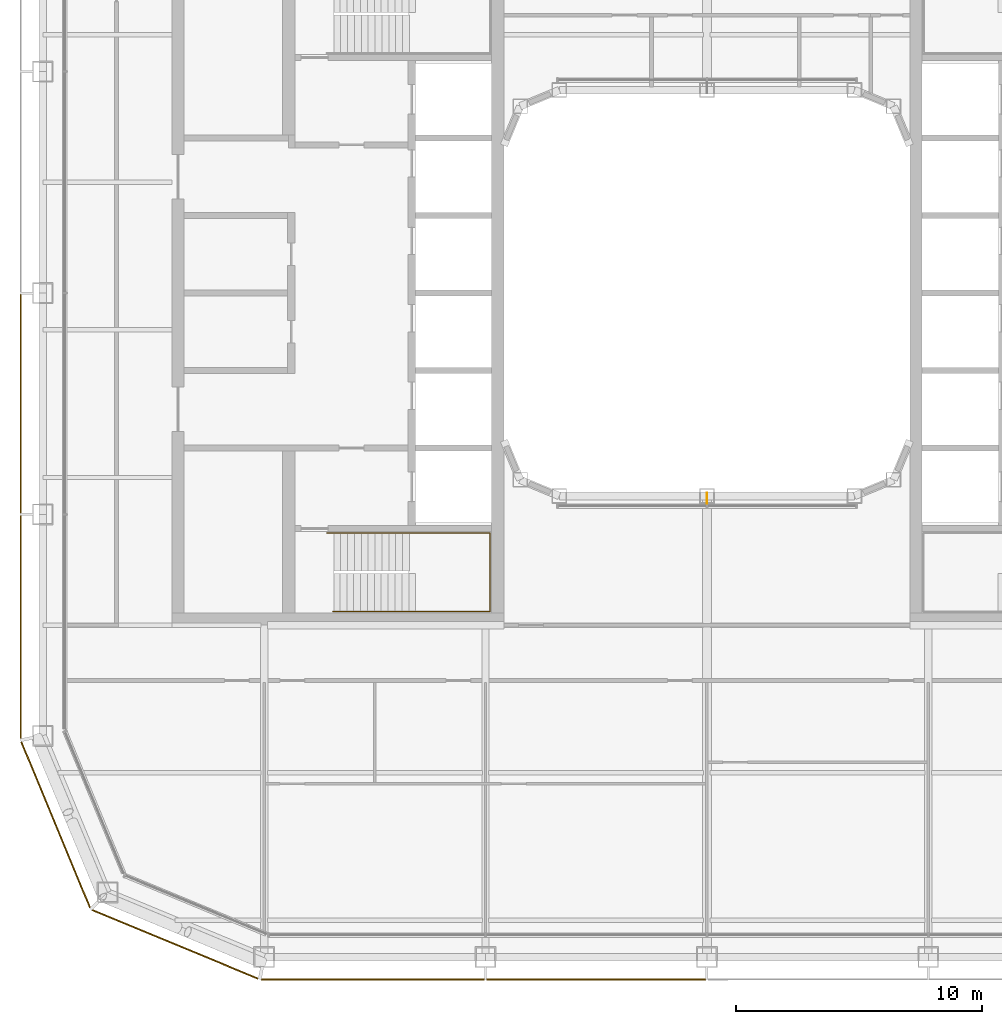
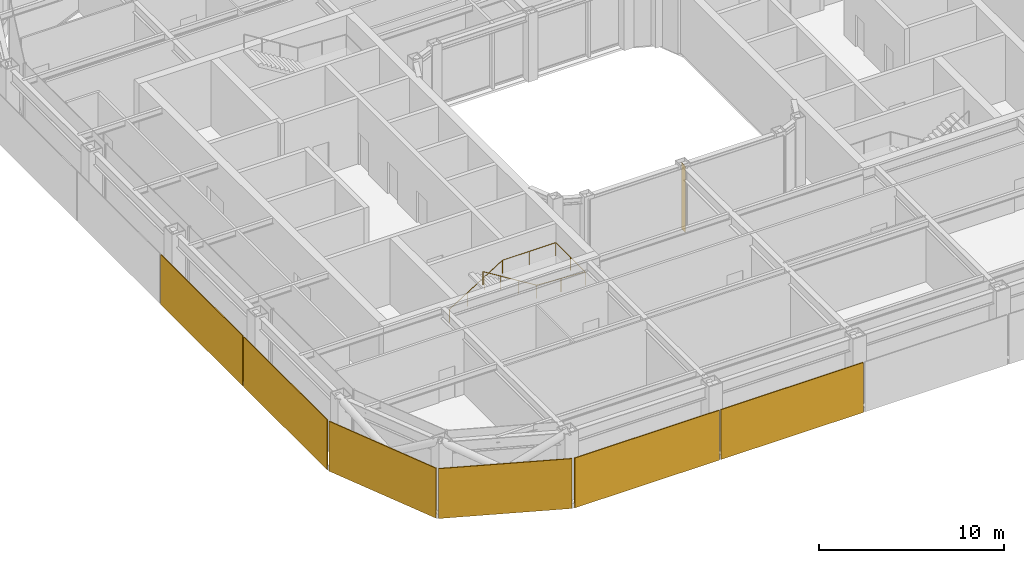
# One storey, part 16 of 19: 6 coverings, 1 railing, 1 shading device.
"""IFC4 building model written with IfcOpenShell, lengths in metres."""

from ifc_helpers import new_model, si_unit, direction, frame, origin, origin_2d, place, context, subcontext, project, spatial, rectangle, circle, extrude, material, layer, layer_set, type_object, element, save


model = new_model("IFC4")

# Units and contexts
model_context = context("Model", 3, precision=1e-05, world=origin(), true_north=direction((0.0, 1.0)))
body_context = subcontext(model_context, "Body", "Model", "MODEL_VIEW")
ifc_project = project(units=[si_unit("LENGTHUNIT", "METRE"), si_unit("AREAUNIT", "SQUARE_METRE"), si_unit("VOLUMEUNIT", "CUBIC_METRE"), si_unit("PLANEANGLEUNIT", "RADIAN"), si_unit("MASSUNIT", "GRAM", prefix="KILO")], contexts=[model_context])

# Site, building, storey
site_placement = place(None, origin())
site = spatial("IfcSite", under=ifc_project, at=site_placement, CompositionType="ELEMENT")
building_placement = place(site_placement, origin())
building = spatial("IfcBuilding", under=site, at=building_placement, Name="Siwar Civic Tower", CompositionType="ELEMENT")
storey_placement = place(building_placement, frame((0.0, 0.0, 228.699951171875)))
storey = spatial("IfcBuildingStorey", under=building, at=storey_placement, Name="L49", CompositionType="ELEMENT", Elevation=228.699951171875)

# Railing
ifc_material_1 = material(Name="Stainless steel", Category="steel")
railing_type = type_object("IfcRailingType", Name="CORE-STAIR-HANDRAIL", PredefinedType="HANDRAIL", material=ifc_material_1)
railing_placement = place(storey_placement, frame((-15.449951171875, -9.758056640625, 0.173095703125)))
element("IfcRailing", 1, at=railing_placement, inside=storey, type_object=railing_type, Name="Stair handrail ST2", PredefinedType="HANDRAIL", context=body_context, shape_type="SweptSolid", body=[
    extrude(circle(Radius=0.02001953125, at=origin_2d()), frame((0.0, 0.0, 0.8798828125), z_axis=(0.847063342986, 0.0, 0.531491950051), x_axis=(0.0, 1.0, 0.0)), (0.0, 0.0, 1.0), 3.90771484375),
    extrude(circle(Radius=0.02001953125, at=origin_2d()), frame((3.31005859375, 0.0, 2.956787109375), z_axis=(1.0, 0.0, 0.0), x_axis=(0.0, 1.0, 0.0)), (0.0, 0.0, 1.0), 3.331787109375),
    extrude(circle(Radius=0.02001953125, at=origin_2d()), frame((6.641845703125, 0.0, 2.956787109375), z_axis=(0.0, -1.0, 0.0), x_axis=(1.0, 0.0, 0.0)), (0.0, 0.0, 1.0), 3.183837890625),
    extrude(circle(Radius=0.02001953125, at=origin_2d()), frame((6.641845703125, -3.183837890625, 2.956787109375), z_axis=(-0.99837434197, 0.0, 0.056997134106), x_axis=(0.0, -1.0, 0.0)), (0.0, 0.0, 1.0), 3.036865234375),
    extrude(circle(Radius=0.02001953125, at=origin_2d()), frame((3.60986328125, -3.183837890625, 3.1298828125), z_axis=(-0.850606129759, 0.0, 0.525803396734), x_axis=(0.0, -1.0, 0.0)), (0.0, 0.0, 1.0), 3.949951171875),
    extrude(circle(Radius=0.02001953125, at=origin_2d()), origin(), (0.0, 0.0, 1.0), 0.85986328125),
    extrude(circle(Radius=0.02001953125, at=origin_2d()), frame((1.103271484375, 0.0, 0.6923828125)), (0.0, 0.0, 1.0), 0.85986328125),
    extrude(circle(Radius=0.02001953125, at=origin_2d()), frame((2.206787109375, 0.0, 1.384521484375)), (0.0, 0.0, 1.0), 0.85986328125),
    extrude(circle(Radius=0.02001953125, at=origin_2d()), frame((3.31005859375, 0.0, 2.076904296875)), (0.0, 0.0, 1.0), 0.85986328125),
    extrude(circle(Radius=0.02001953125, at=origin_2d()), frame((4.97607421875, 0.0, 2.076904296875)), (0.0, 0.0, 1.0), 0.85986328125),
    extrude(circle(Radius=0.02001953125, at=origin_2d()), frame((6.641845703125, 0.0, 2.076904296875)), (0.0, 0.0, 1.0), 0.85986328125),
    extrude(circle(Radius=0.02001953125, at=origin_2d()), frame((6.641845703125, -1.591796875, 2.076904296875)), (0.0, 0.0, 1.0), 0.85986328125),
    extrude(circle(Radius=0.02001953125, at=origin_2d()), frame((6.641845703125, -3.183837890625, 2.076904296875)), (0.0, 0.0, 1.0), 0.85986328125),
    extrude(circle(Radius=0.02001953125, at=origin_2d()), frame((5.1259765625, -3.183837890625, 2.16357421875)), (0.0, 0.0, 1.0), 0.85986328125),
    extrude(circle(Radius=0.02001953125, at=origin_2d()), frame((3.60986328125, -3.183837890625, 2.25)), (0.0, 0.0, 1.0), 0.85986328125),
    extrude(circle(Radius=0.02001953125, at=origin_2d()), frame((2.489990234375, -3.183837890625, 2.9423828125)), (0.0, 0.0, 1.0), 0.85986328125),
    extrude(circle(Radius=0.02001953125, at=origin_2d()), frame((1.369873046875, -3.183837890625, 3.634521484375)), (0.0, 0.0, 1.0), 0.85986328125),
    extrude(circle(Radius=0.02001953125, at=origin_2d()), frame((0.25, -3.183837890625, 4.326904296875)), (0.0, 0.0, 1.0), 0.85986328125),
])

# Shading device
ifc_material_2 = material(Name="Aluminium 6063-T6", Category="aluminium")
ifc_layer_1 = layer(ifc_material_2, 0.02001953125)
ifc_layer_set_1 = layer_set([ifc_layer_1], Name="Aluminium 6063-T6")
shading_device_type = type_object("IfcShadingDeviceType", Name="ENV-FIN", PredefinedType="JALOUSIE", material=ifc_layer_set_1)
shading_device_placement = place(storey_placement, frame((0.0, -8.344970703125, 0.0), z_axis=(0.0, 0.0, 1.0), x_axis=(1.0, 0.0, 0.0)))
element("IfcShadingDevice", 2, at=shading_device_placement, inside=storey, type_object=shading_device_type, Name="SUNSHADE fin WS 1", PredefinedType="JALOUSIE", context=body_context, shape_type="SweptSolid", body=[
    extrude(rectangle(XDim=0.02001953125, YDim=0.449951171875, at=origin_2d()), origin(), (0.0, 0.0, 1.0), 4.35009765625),
])

# Coverings
ifc_material_3 = material(Name="Perforated aluminium cassette, pale metal", Category="aluminium")
ifc_layer_2 = layer(ifc_material_3, 0.050048828125)
ifc_layer_set_2 = layer_set([ifc_layer_2], Name="Perforated aluminium cassette, pale metal")
covering_type_1 = type_object("IfcCoveringType", Name="ENV-OUTER SKIN OS-3", PredefinedType="CLADDING", material=ifc_layer_set_2)
covering_1_placement = place(storey_placement, frame((-27.89990234375, -4.5, -0.14990234375), z_axis=(0.0, 0.0, 1.0), x_axis=(0.0, -1.0, 0.0)))
element("IfcCovering", 3, at=covering_1_placement, inside=storey, type_object=covering_type_1, Name="OUTER SKIN OS-3 W 3", PredefinedType="CLADDING", context=body_context, shape_type="SweptSolid", body=[
    extrude(rectangle(XDim=8.89990234375, YDim=0.050048828125, at=origin_2d()), origin(), (0.0, 0.0, 1.0), 3.300048828125),
])
covering_2_placement = place(storey_placement, frame((-27.89990234375, -13.57958984375, -0.14990234375), z_axis=(0.0, 0.0, 1.0), x_axis=(0.0, -1.0, 0.0)))
element("IfcCovering", 4, at=covering_2_placement, inside=storey, type_object=covering_type_1, Name="OUTER SKIN OS-3 W 4", PredefinedType="CLADDING", context=body_context, shape_type="SweptSolid", body=[
    extrude(rectangle(XDim=9.05908203125, YDim=0.050048828125, at=origin_2d()), origin(), (0.0, 0.0, 1.0), 3.300048828125),
])
ifc_material_4 = material(Name="Perforated aluminium cassette, pale metal", Category="aluminium")
ifc_layer_3 = layer(ifc_material_4, 0.054931640625)
ifc_layer_set_3 = layer_set([ifc_layer_3], Name="Perforated aluminium cassette, pale metal")
covering_type_2 = type_object("IfcCoveringType", Name="ENV-OUTER SKIN OS-4", PredefinedType="CLADDING", material=ifc_layer_set_3)
covering_3_placement = place(storey_placement, frame((-13.57958984375, -27.89990234375, -0.14990234375), z_axis=(0.0, 0.0, 1.0), x_axis=(1.0, 0.0, 0.0)))
element("IfcCovering", 5, at=covering_3_placement, inside=storey, type_object=covering_type_2, Name="OUTER SKIN OS-4 S 1", PredefinedType="CLADDING", context=body_context, shape_type="SweptSolid", body=[
    extrude(rectangle(XDim=9.05908203125, YDim=0.054931640625, at=origin_2d()), origin(), (0.0, 0.0, 1.0), 3.300048828125),
])
covering_4_placement = place(storey_placement, frame((-4.5, -27.89990234375, -0.14990234375), z_axis=(0.0, 0.0, 1.0), x_axis=(1.0, 0.0, 0.0)))
element("IfcCovering", 6, at=covering_4_placement, inside=storey, type_object=covering_type_2, Name="OUTER SKIN OS-4 S 2", PredefinedType="CLADDING", context=body_context, shape_type="SweptSolid", body=[
    extrude(rectangle(XDim=8.89990234375, YDim=0.054931640625, at=origin_2d()), origin(), (0.0, 0.0, 1.0), 3.300048828125),
])
for number, where, z_axis, x_axis, name in (
    (7, (-26.476318359375, -21.615966796875, -0.14990234375), (0.0, 0.0, 1.0), (0.382683432365, -0.923879532511, 0.0), "OUTER SKIN OS-4 SW1 1"),
    (8, (-21.615966796875, -26.476318359375, -0.14990234375), (0.0, 0.0, 1.0), (0.923879532511, -0.382683432365, 0.0), "OUTER SKIN OS-4 SW2 1"),
):
    element("IfcCovering", number, at=place(storey_placement, frame(where, z_axis=z_axis, x_axis=x_axis)), inside=storey, type_object=covering_type_2, Name=name, PredefinedType="CLADDING", context=body_context, shape_type="SweptSolid", body=[
        extrude(rectangle(XDim=7.300048828125, YDim=0.054931640625, at=origin_2d()), origin(), (0.0, 0.0, 1.0), 3.300048828125),
    ])

save(model, "model.ifc")
